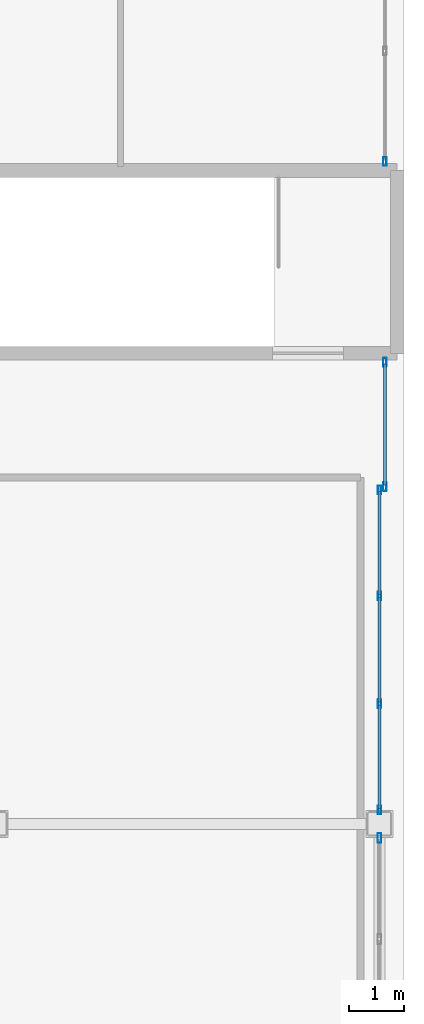
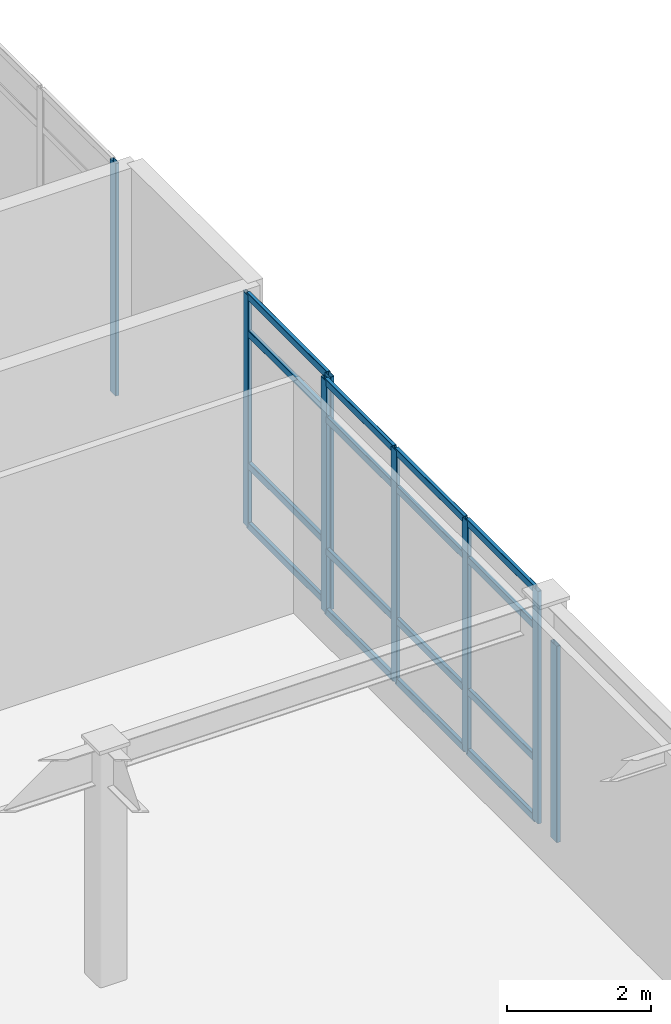
# One storey, part 23 of 34: 24 members, 4 elements without a shape of their own.
"""IFC4 building model written with IfcOpenShell, lengths in metres."""

import ifcopenshell
import ifcopenshell.guid

model = None  # the IFC model being written
_history = None  # IfcOwnerHistory: only IFC2X3 demands one
_inside = {}  # id of a spatial element -> (the spatial element, [elements in it])
_under = {}  # id of a project, library or spatial element -> (it, [spatial elements below it])
_declared = {}  # id of a project -> (the project, [libraries it declares])
_typed = {}  # id of a type object -> (the type object, [elements of that type])
_made_of = {}  # id of a material, layer set ... -> (it, [elements and type objects made of it])


def new_model(schema):
    """Start an empty IFC model of exactly this schema.

    Asked for "IFC4X3", IfcOpenShell would pick the latest addendum, in which some entities
    have other attributes; the version numbers below select the first issue.
    IFC2X3 requires an IfcOwnerHistory on every rooted entity: one is made here for all.
    """
    global model, _history
    if schema == "IFC4X3":
        model = ifcopenshell.file(schema_version=(4, 3, 0, 0))
    else:
        model = ifcopenshell.file(schema=schema)
    _inside.clear()
    _under.clear()
    _declared.clear()
    _typed.clear()
    _made_of.clear()
    _history = None
    if model.schema == "IFC2X3":
        org = make("IfcOrganization", Name="unknown")
        user = make(
            "IfcPersonAndOrganization",
            ThePerson=make("IfcPerson", FamilyName="unknown"),
            TheOrganization=org,
        )
        app = make(
            "IfcApplication",
            ApplicationDeveloper=org,
            Version="unknown",
            ApplicationFullName="unknown",
            ApplicationIdentifier="unknown",
        )
        _history = make(
            "IfcOwnerHistory",
            OwningUser=user,
            OwningApplication=app,
            ChangeAction="ADDED",
            CreationDate=0,
        )
    return model


def make(cls, **values):
    """One entity of the class cls with the attributes given. An attribute that is None is left unset."""
    return model.create_entity(
        cls, **{name: value for name, value in values.items() if value is not None}
    )


def rooted(cls, **values):
    """An entity with a GlobalId (a new one), such as an element, a storey or a relation."""
    return make(cls, GlobalId=ifcopenshell.guid.new(), OwnerHistory=_history, **values)


def si_unit(unit_type, name, prefix=None):
    """IfcSIUnit, for example si_unit("LENGTHUNIT", "METRE", prefix="MILLI")."""
    return make("IfcSIUnit", UnitType=unit_type, Prefix=prefix, Name=name)


def assignment(units):
    """IfcUnitAssignment: the units of a project."""
    return None if units is None else make("IfcUnitAssignment", Units=units)


def point(xyz):
    """IfcCartesianPoint."""
    return None if xyz is None else make("IfcCartesianPoint", Coordinates=xyz)


def direction(xyz):
    """IfcDirection."""
    return None if xyz is None else make("IfcDirection", DirectionRatios=xyz)


def frame(location, z_axis=None, x_axis=None):
    """IfcAxis2Placement3D, a coordinate frame: its origin and axes. An axis left out is left unset."""
    return make(
        "IfcAxis2Placement3D",
        Location=point(location),
        Axis=direction(z_axis),
        RefDirection=direction(x_axis),
    )


def frame_2d(location, x_axis=None):
    """IfcAxis2Placement2D, a coordinate frame in the plane: its origin and x axis."""
    return make(
        "IfcAxis2Placement2D", Location=point(location), RefDirection=direction(x_axis)
    )


def origin():
    """The frame at (0, 0, 0) with its axes left unset."""
    return frame((0.0, 0.0, 0.0))


def origin_2d():
    """The frame at (0, 0) in the plane with its x axis left unset."""
    return frame_2d((0.0, 0.0))


def place(relative_to, where):
    """IfcLocalPlacement: puts the frame where relative to a parent placement (None: the world)."""
    return make(
        "IfcLocalPlacement", PlacementRelTo=relative_to, RelativePlacement=where
    )


def context(
    kind, dimensions, precision=None, world=None, true_north=None, identifier=None
):
    """IfcGeometricRepresentationContext, for example the 3D "Model" context."""
    return make(
        "IfcGeometricRepresentationContext",
        ContextIdentifier=identifier,
        ContextType=kind,
        CoordinateSpaceDimension=dimensions,
        Precision=precision,
        WorldCoordinateSystem=world,
        TrueNorth=true_north,
    )


def subcontext(parent, identifier, kind, view, scale=None):
    """IfcGeometricRepresentationSubContext, for example "Body" below "Model"."""
    return make(
        "IfcGeometricRepresentationSubContext",
        ContextIdentifier=identifier,
        ContextType=kind,
        ParentContext=parent,
        TargetScale=scale,
        TargetView=view,
    )


def project(units=None, contexts=None):
    """IfcProject with its units and contexts."""
    return rooted(
        "IfcProject",
        Name="project",
        RepresentationContexts=contexts,
        UnitsInContext=assignment(units),
    )


def spatial(cls, under=None, at=None, **own):
    """A site, building, storey or space (cls), placed at a placement, below another one or the project."""
    s = rooted(cls, ObjectPlacement=at, **own)
    if under is not None:
        _under.setdefault(under.id(), (under, []))[1].append(s)
    return s


def profile(cls, at=None, kind="AREA", **sizes):
    """A parametric profile (cls). Its sizes go by their IFC names, for example OverallWidth=200.0."""
    return make(cls, ProfileType=kind, Position=at, **sizes)


def hollow_rectangle(**sizes):
    """IfcRectangleHollowProfileDef."""
    return profile("IfcRectangleHollowProfileDef", **sizes)


def extrude(swept, where, along, depth):
    """IfcExtrudedAreaSolid: the profile swept, set in the frame where, extruded along a direction by depth."""
    return make(
        "IfcExtrudedAreaSolid",
        SweptArea=swept,
        Position=where,
        ExtrudedDirection=direction(along),
        Depth=depth,
    )


def shape(context_of_items, identifier, shape_type, items):
    """IfcShapeRepresentation: the items that make up one representation, for example the "Body"."""
    return make(
        "IfcShapeRepresentation",
        ContextOfItems=context_of_items,
        RepresentationIdentifier=identifier,
        RepresentationType=shape_type,
        Items=items,
    )


def material(Name=None, Category=None):
    """IfcMaterial."""
    return make("IfcMaterial", Name=Name, Category=Category)


def layer(
    of_material, thickness, ventilated=None, Name=None, Category=None, Priority=None
):
    """IfcMaterialLayer: one layer of a wall or slab, of a material (None: an air gap)."""
    return make(
        "IfcMaterialLayer",
        Material=of_material,
        LayerThickness=thickness,
        IsVentilated=ventilated,
        Name=Name,
        Category=Category,
        Priority=Priority,
    )


def layer_set(layers, Name=None):
    """IfcMaterialLayerSet."""
    return make("IfcMaterialLayerSet", MaterialLayers=layers, LayerSetName=Name)


def material_profile(
    of_material, cross_section, Name=None, Category=None, Priority=None
):
    """IfcMaterialProfile: a cross section and its material."""
    return make(
        "IfcMaterialProfile",
        Name=Name,
        Material=of_material,
        Profile=cross_section,
        Priority=Priority,
        Category=Category,
    )


def profile_set(profiles, Name=None, composite=None):
    """IfcMaterialProfileSet."""
    return make(
        "IfcMaterialProfileSet",
        Name=Name,
        MaterialProfiles=profiles,
        CompositeProfile=composite,
    )


def made_of(thing, what):
    """Note that an element or type object is made of a material, layer set ...; save() writes the relation."""
    if what is not None:
        _made_of.setdefault(what.id(), (what, []))[1].append(thing)
    return thing


def type_object(cls, material=None, **own):
    """A type object (cls), such as IfcWallType, which elements share."""
    return made_of(rooted(cls, **own), material)


def element(
    cls,
    number,
    at=None,
    inside=None,
    cuts=None,
    type_object=None,
    material=None,
    context=None,
    identifier="Body",
    shape_type=None,
    held_by="IfcProductDefinitionShape",
    body=None,
    shapes=None,
    **own,
):
    """One element of the class cls, such as IfcWall. Its Tag is "e" and its number.

    at: its placement. inside: the storey or other place that contains it. cuts: it is an
    opening in that element (IfcRelVoidsElement). A single representation is given by context,
    identifier, shape_type and body (its items); several are given by shapes. held_by: the class
    of the entity that holds the representations. save() writes the other relations.
    """
    e = rooted(cls, Tag="e%d" % number, ObjectPlacement=at, **own)
    if body is not None:
        shapes = [shape(context, identifier, shape_type, body)]
    if shapes is not None:
        e.Representation = make(held_by, Representations=shapes)
    if inside is not None:
        _inside.setdefault(inside.id(), (inside, []))[1].append(e)
    if cuts is not None:
        rooted(
            "IfcRelVoidsElement", RelatingBuildingElement=cuts, RelatedOpeningElement=e
        )
    if type_object is not None:
        _typed.setdefault(type_object.id(), (type_object, []))[1].append(e)
    return made_of(e, material)


def aggregate(whole, parts):
    """IfcRelAggregates: a whole, such as a stair, and the parts it consists of."""
    return rooted("IfcRelAggregates", RelatingObject=whole, RelatedObjects=parts)


def save(model, path):
    """Write the relations noted so far, then the file.

    IfcRelAggregates (storeys below a building ...), IfcRelContainedInSpatialStructure (elements
    in a storey), IfcRelDefinesByType, IfcRelAssociatesMaterial and IfcRelDeclares: one each for
    every whole, place, type object, material and project.
    """
    for whole, parts in _under.values():
        aggregate(whole, parts)
    for where, things in _inside.values():
        rooted(
            "IfcRelContainedInSpatialStructure",
            RelatedElements=things,
            RelatingStructure=where,
        )
    for kind, things in _typed.values():
        rooted("IfcRelDefinesByType", RelatedObjects=things, RelatingType=kind)
    for what, things in _made_of.values():
        rooted("IfcRelAssociatesMaterial", RelatedObjects=things, RelatingMaterial=what)
    for by, libraries in _declared.values():
        rooted("IfcRelDeclares", RelatingContext=by, RelatedDefinitions=libraries)
    model.write(path)


model = new_model("IFC4")

# Units and contexts
model_context = context("Model", 3, precision=1e-05, world=origin(), true_north=direction((0.0, 1.0)))
body_context = subcontext(model_context, "Body", "Model", "MODEL_VIEW")
ifc_project = project(units=[si_unit("LENGTHUNIT", "METRE"), si_unit("AREAUNIT", "SQUARE_METRE"), si_unit("VOLUMEUNIT", "CUBIC_METRE"), si_unit("PLANEANGLEUNIT", "RADIAN"), si_unit("MASSUNIT", "GRAM", prefix="KILO")], contexts=[model_context])

# Site, building, storey
site_placement = place(None, origin())
site = spatial("IfcSite", under=ifc_project, at=site_placement, CompositionType="ELEMENT")
building_placement = place(site_placement, origin())
building = spatial("IfcBuilding", under=site, at=building_placement, Name="Kazehara Bluff Congress Hotel", CompositionType="ELEMENT")
storey_placement = place(building_placement, frame((0.0, 0.0, 46.199951171875)))
storey = spatial("IfcBuildingStorey", under=building, at=storey_placement, Name="L11", CompositionType="ELEMENT", Elevation=46.199951171875)

# Curtain wall, members
ifc_material_1 = material(Name="Anodised aluminium", Category="aluminium")
ifc_layer_1 = layer(ifc_material_1, 0.159912109375)
ifc_layer_set_1 = layer_set([ifc_layer_1], Name="Anodised aluminium")
curtain_wall_type_1 = type_object("IfcCurtainWallType", Name="TP-CW-87", PredefinedType="NOTDEFINED", material=ifc_layer_set_1)
curtain_wall_1_placement = place(storey_placement, origin())
curtain_wall_1 = element("IfcCurtainWall", 1, at=curtain_wall_1_placement, inside=storey, type_object=curtain_wall_type_1, Name="L11 curtain wall CW-87 CW-V5-L11-X16755-6468", PredefinedType="NOTDEFINED")
ifc_material_2 = material(Name="Anodised aluminium", Category="aluminium")
ifc_material_profile_1 = material_profile(ifc_material_2, hollow_rectangle(XDim=0.06005859375, YDim=0.159912109375, WallThickness=0.00390625, InnerFilletRadius=0.00390625, OuterFilletRadius=0.008056640625, at=origin_2d()))
ifc_profile_set_1 = profile_set([ifc_material_profile_1], Name="Anodised aluminium")
member_type_1 = type_object("IfcMemberType", Name="TP-CWM-01", PredefinedType="MULLION", material=ifc_profile_set_1)
member_1_placement = place(storey_placement, frame((167.550048828125, 64.705078125, 0.0), z_axis=(0.0, 0.0, 1.0), x_axis=(-1.0, 0.0, 0.0)))
member_1 = element("IfcMember", 2, at=member_1_placement, type_object=member_type_1, Name="CW-87 mullion 1", PredefinedType="MULLION", context=body_context, shape_type="SweptSolid", body=[
    extrude(hollow_rectangle(XDim=0.06005859375, YDim=0.159912109375, WallThickness=0.00390625, InnerFilletRadius=0.00390625, OuterFilletRadius=0.008056640625, at=origin_2d()), origin(), (0.0, 0.0, 1.0), 3.93505859375),
])
member_2_placement = place(storey_placement, frame((167.550048828125, 66.64990234375, 0.0), z_axis=(0.0, 0.0, 1.0), x_axis=(-1.0, 0.0, 0.0)))
member_2 = element("IfcMember", 3, at=member_2_placement, type_object=member_type_1, Name="CW-87 mullion 2", PredefinedType="MULLION", context=body_context, shape_type="SweptSolid", body=[
    extrude(hollow_rectangle(XDim=0.06005859375, YDim=0.159912109375, WallThickness=0.00390625, InnerFilletRadius=0.00390625, OuterFilletRadius=0.008056640625, at=origin_2d()), origin(), (0.0, 0.0, 1.0), 3.93505859375),
])
member_3_placement = place(storey_placement, frame((167.550048828125, 68.625, 0.0), z_axis=(0.0, 0.0, 1.0), x_axis=(-1.0, 0.0, 0.0)))
member_3 = element("IfcMember", 4, at=member_3_placement, type_object=member_type_1, Name="CW-87 mullion 3", PredefinedType="MULLION", context=body_context, shape_type="SweptSolid", body=[
    extrude(hollow_rectangle(XDim=0.06005859375, YDim=0.159912109375, WallThickness=0.00390625, InnerFilletRadius=0.00390625, OuterFilletRadius=0.008056640625, at=origin_2d()), origin(), (0.0, 0.0, 1.0), 3.93505859375),
])
member_4_placement = place(storey_placement, frame((167.550048828125, 70.570068359375, 0.0), z_axis=(0.0, 0.0, 1.0), x_axis=(-1.0, 0.0, 0.0)))
member_4 = element("IfcMember", 5, at=member_4_placement, type_object=member_type_1, Name="CW-87 mullion 4", PredefinedType="MULLION", context=body_context, shape_type="SweptSolid", body=[
    extrude(hollow_rectangle(XDim=0.06005859375, YDim=0.159912109375, WallThickness=0.00390625, InnerFilletRadius=0.00390625, OuterFilletRadius=0.008056640625, at=origin_2d()), origin(), (0.0, 0.0, 1.0), 3.93505859375),
])

ifc_material_3 = material(Name="Anodised aluminium", Category="aluminium")
ifc_layer_2 = layer(ifc_material_3, 0.159912109375)
ifc_layer_set_2 = layer_set([ifc_layer_2], Name="Anodised aluminium")
curtain_wall_type_2 = type_object("IfcCurtainWallType", Name="TP-CW-209", PredefinedType="NOTDEFINED", material=ifc_layer_set_2)
curtain_wall_2_placement = place(storey_placement, origin())
curtain_wall_2 = element("IfcCurtainWall", 6, at=curtain_wall_2_placement, inside=storey, type_object=curtain_wall_type_2, Name="L11 curtain wall CW-209 CW-ENC-V5-L11-16765-7177", PredefinedType="NOTDEFINED")
member_5_placement = place(storey_placement, frame((167.64990234375, 72.909912109375, 0.0), z_axis=(0.0, 0.0, 1.0), x_axis=(1.0, 0.0, 0.0)))
member_5 = element("IfcMember", 7, at=member_5_placement, type_object=member_type_1, Name="CW-209 mullion 1", PredefinedType="MULLION", context=body_context, shape_type="SweptSolid", body=[
    extrude(hollow_rectangle(XDim=0.06005859375, YDim=0.159912109375, WallThickness=0.00390625, InnerFilletRadius=0.00390625, OuterFilletRadius=0.008056640625, at=origin_2d()), origin(), (0.0, 0.0, 1.0), 3.93505859375),
])
member_6_placement = place(storey_placement, frame((167.64990234375, 70.6298828125, 0.0), z_axis=(0.0, 0.0, 1.0), x_axis=(1.0, 0.0, 0.0)))
member_6 = element("IfcMember", 8, at=member_6_placement, type_object=member_type_1, Name="CW-209 mullion 2", PredefinedType="MULLION", context=body_context, shape_type="SweptSolid", body=[
    extrude(hollow_rectangle(XDim=0.06005859375, YDim=0.159912109375, WallThickness=0.00390625, InnerFilletRadius=0.00390625, OuterFilletRadius=0.008056640625, at=origin_2d()), origin(), (0.0, 0.0, 1.0), 3.93505859375),
])

# Curtain wall, member
ifc_material_4 = material(Name="Anodised aluminium", Category="aluminium")
ifc_layer_3 = layer(ifc_material_4, 0.159912109375)
ifc_layer_set_3 = layer_set([ifc_layer_3], Name="Anodised aluminium")
curtain_wall_type_3 = type_object("IfcCurtainWallType", Name="TP-CW-210", PredefinedType="NOTDEFINED", material=ifc_layer_set_3)
curtain_wall_3_placement = place(storey_placement, origin())
curtain_wall_3 = element("IfcCurtainWall", 9, at=curtain_wall_3_placement, inside=storey, type_object=curtain_wall_type_3, Name="L11 curtain wall CW-210 CW-ENC-V5-L11-16765-7862", PredefinedType="NOTDEFINED")
member_7_placement = place(storey_placement, frame((167.64990234375, 76.590087890625, 0.0), z_axis=(0.0, 0.0, 1.0), x_axis=(1.0, 0.0, 0.0)))
member_7 = element("IfcMember", 10, at=member_7_placement, type_object=member_type_1, Name="CW-210 mullion 3", PredefinedType="MULLION", context=body_context, shape_type="SweptSolid", body=[
    extrude(hollow_rectangle(XDim=0.06005859375, YDim=0.159912109375, WallThickness=0.00390625, InnerFilletRadius=0.00390625, OuterFilletRadius=0.008056640625, at=origin_2d()), origin(), (0.0, 0.0, 1.0), 3.93505859375),
])
aggregate(curtain_wall_3, [member_7])

ifc_material_5 = material(Name="Anodised aluminium", Category="aluminium")
ifc_layer_4 = layer(ifc_material_5, 0.159912109375)
ifc_layer_set_4 = layer_set([ifc_layer_4], Name="Anodised aluminium")
curtain_wall_type_4 = type_object("IfcCurtainWallType", Name="TP-CW-84", PredefinedType="NOTDEFINED", material=ifc_layer_set_4)
curtain_wall_4_placement = place(storey_placement, origin())
curtain_wall_4 = element("IfcCurtainWall", 11, at=curtain_wall_4_placement, inside=storey, type_object=curtain_wall_type_4, Name="L11 curtain wall CW-84 CW-V5-L11-X16755-5668", PredefinedType="NOTDEFINED")
ifc_material_6 = material(Name="Anodised aluminium", Category="aluminium")
ifc_material_profile_2 = material_profile(ifc_material_6, hollow_rectangle(XDim=0.06494140625, YDim=0.179931640625, WallThickness=0.00390625, InnerFilletRadius=0.00390625, OuterFilletRadius=0.008056640625, at=origin_2d()))
ifc_profile_set_2 = profile_set([ifc_material_profile_2], Name="Anodised aluminium")
member_type_2 = type_object("IfcMemberType", Name="TP-CWM-02", PredefinedType="MULLION", material=ifc_profile_set_2)
member_8_placement = place(storey_placement, frame((167.550048828125, 64.1923828125, 0.0), z_axis=(0.0, 0.0, 1.0), x_axis=(-1.0, 0.0, 0.0)))
member_8 = element("IfcMember", 12, at=member_8_placement, type_object=member_type_2, Name="CW-84 mullion 5", PredefinedType="MULLION", context=body_context, shape_type="SweptSolid", body=[
    extrude(hollow_rectangle(XDim=0.06494140625, YDim=0.179931640625, WallThickness=0.00390625, InnerFilletRadius=0.00390625, OuterFilletRadius=0.008056640625, at=origin_2d()), origin(), (0.0, 0.0, 1.0), 3.324951171875),
])
aggregate(curtain_wall_4, [member_8])

# Member
ifc_material_7 = material(Name="Anodised aluminium", Category="aluminium")
ifc_material_profile_3 = material_profile(ifc_material_7, hollow_rectangle(XDim=0.06005859375, YDim=0.1201171875, WallThickness=0.00390625, InnerFilletRadius=0.00390625, OuterFilletRadius=0.008056640625, at=origin_2d()))
ifc_profile_set_3 = profile_set([ifc_material_profile_3], Name="Anodised aluminium")
member_type_3 = type_object("IfcMemberType", Name="TP-CWT-01", PredefinedType="USERDEFINED", material=ifc_profile_set_3)
member_9_placement = place(storey_placement, frame((167.550048828125, 64.735107421875, 0.030029296875), z_axis=(0.0, 1.0, 0.0), x_axis=(-1.0, 0.0, 0.0)))
member_9 = element("IfcMember", 13, at=member_9_placement, type_object=member_type_3, Name="CW-87 transom 1.1", ObjectType="TRANSOM", PredefinedType="USERDEFINED", context=body_context, shape_type="SweptSolid", body=[
    extrude(hollow_rectangle(XDim=0.06005859375, YDim=0.1201171875, WallThickness=0.00390625, InnerFilletRadius=0.00390625, OuterFilletRadius=0.008056640625, at=origin_2d()), origin(), (0.0, 0.0, 1.0), 1.885009765625),
])

member_10_placement = place(storey_placement, frame((167.550048828125, 64.735107421875, 1.050048828125), z_axis=(0.0, 1.0, 0.0), x_axis=(-1.0, 0.0, 0.0)))
member_10 = element("IfcMember", 14, at=member_10_placement, type_object=member_type_3, Name="CW-87 transom 1.2", ObjectType="TRANSOM", PredefinedType="USERDEFINED", context=body_context, shape_type="SweptSolid", body=[
    extrude(hollow_rectangle(XDim=0.06005859375, YDim=0.1201171875, WallThickness=0.00390625, InnerFilletRadius=0.00390625, OuterFilletRadius=0.008056640625, at=origin_2d()), origin(), (0.0, 0.0, 1.0), 1.885009765625),
])

member_11_placement = place(storey_placement, frame((167.550048828125, 64.735107421875, 3.28515625), z_axis=(0.0, 1.0, 0.0), x_axis=(-1.0, 0.0, 0.0)))
member_11 = element("IfcMember", 15, at=member_11_placement, type_object=member_type_3, Name="CW-87 transom 1.3", ObjectType="TRANSOM", PredefinedType="USERDEFINED", context=body_context, shape_type="SweptSolid", body=[
    extrude(hollow_rectangle(XDim=0.06005859375, YDim=0.1201171875, WallThickness=0.00390625, InnerFilletRadius=0.00390625, OuterFilletRadius=0.008056640625, at=origin_2d()), origin(), (0.0, 0.0, 1.0), 1.885009765625),
])

member_12_placement = place(storey_placement, frame((167.550048828125, 64.735107421875, 3.905029296875), z_axis=(0.0, 1.0, 0.0), x_axis=(-1.0, 0.0, 0.0)))
member_12 = element("IfcMember", 16, at=member_12_placement, type_object=member_type_3, Name="CW-87 transom 1.4", ObjectType="TRANSOM", PredefinedType="USERDEFINED", context=body_context, shape_type="SweptSolid", body=[
    extrude(hollow_rectangle(XDim=0.06005859375, YDim=0.1201171875, WallThickness=0.00390625, InnerFilletRadius=0.00390625, OuterFilletRadius=0.008056640625, at=origin_2d()), origin(), (0.0, 0.0, 1.0), 1.885009765625),
])

member_13_placement = place(storey_placement, frame((167.550048828125, 66.679931640625, 0.030029296875), z_axis=(0.0, 1.0, 0.0), x_axis=(-1.0, 0.0, 0.0)))
member_13 = element("IfcMember", 17, at=member_13_placement, type_object=member_type_3, Name="CW-87 transom 2.1", ObjectType="TRANSOM", PredefinedType="USERDEFINED", context=body_context, shape_type="SweptSolid", body=[
    extrude(hollow_rectangle(XDim=0.06005859375, YDim=0.1201171875, WallThickness=0.00390625, InnerFilletRadius=0.00390625, OuterFilletRadius=0.008056640625, at=origin_2d()), origin(), (0.0, 0.0, 1.0), 1.9150390625),
])

member_14_placement = place(storey_placement, frame((167.550048828125, 66.679931640625, 1.050048828125), z_axis=(0.0, 1.0, 0.0), x_axis=(-1.0, 0.0, 0.0)))
member_14 = element("IfcMember", 18, at=member_14_placement, type_object=member_type_3, Name="CW-87 transom 2.2", ObjectType="TRANSOM", PredefinedType="USERDEFINED", context=body_context, shape_type="SweptSolid", body=[
    extrude(hollow_rectangle(XDim=0.06005859375, YDim=0.1201171875, WallThickness=0.00390625, InnerFilletRadius=0.00390625, OuterFilletRadius=0.008056640625, at=origin_2d()), origin(), (0.0, 0.0, 1.0), 1.9150390625),
])

member_15_placement = place(storey_placement, frame((167.550048828125, 66.679931640625, 3.28515625), z_axis=(0.0, 1.0, 0.0), x_axis=(-1.0, 0.0, 0.0)))
member_15 = element("IfcMember", 19, at=member_15_placement, type_object=member_type_3, Name="CW-87 transom 2.3", ObjectType="TRANSOM", PredefinedType="USERDEFINED", context=body_context, shape_type="SweptSolid", body=[
    extrude(hollow_rectangle(XDim=0.06005859375, YDim=0.1201171875, WallThickness=0.00390625, InnerFilletRadius=0.00390625, OuterFilletRadius=0.008056640625, at=origin_2d()), origin(), (0.0, 0.0, 1.0), 1.9150390625),
])

member_16_placement = place(storey_placement, frame((167.550048828125, 66.679931640625, 3.905029296875), z_axis=(0.0, 1.0, 0.0), x_axis=(-1.0, 0.0, 0.0)))
member_16 = element("IfcMember", 20, at=member_16_placement, type_object=member_type_3, Name="CW-87 transom 2.4", ObjectType="TRANSOM", PredefinedType="USERDEFINED", context=body_context, shape_type="SweptSolid", body=[
    extrude(hollow_rectangle(XDim=0.06005859375, YDim=0.1201171875, WallThickness=0.00390625, InnerFilletRadius=0.00390625, OuterFilletRadius=0.008056640625, at=origin_2d()), origin(), (0.0, 0.0, 1.0), 1.9150390625),
])

member_17_placement = place(storey_placement, frame((167.550048828125, 68.655029296875, 0.030029296875), z_axis=(0.0, 1.0, 0.0), x_axis=(-1.0, 0.0, 0.0)))
member_17 = element("IfcMember", 21, at=member_17_placement, type_object=member_type_3, Name="CW-87 transom 3.1", ObjectType="TRANSOM", PredefinedType="USERDEFINED", context=body_context, shape_type="SweptSolid", body=[
    extrude(hollow_rectangle(XDim=0.06005859375, YDim=0.1201171875, WallThickness=0.00390625, InnerFilletRadius=0.00390625, OuterFilletRadius=0.008056640625, at=origin_2d()), origin(), (0.0, 0.0, 1.0), 1.885009765625),
])

member_18_placement = place(storey_placement, frame((167.550048828125, 68.655029296875, 1.050048828125), z_axis=(0.0, 1.0, 0.0), x_axis=(-1.0, 0.0, 0.0)))
member_18 = element("IfcMember", 22, at=member_18_placement, type_object=member_type_3, Name="CW-87 transom 3.2", ObjectType="TRANSOM", PredefinedType="USERDEFINED", context=body_context, shape_type="SweptSolid", body=[
    extrude(hollow_rectangle(XDim=0.06005859375, YDim=0.1201171875, WallThickness=0.00390625, InnerFilletRadius=0.00390625, OuterFilletRadius=0.008056640625, at=origin_2d()), origin(), (0.0, 0.0, 1.0), 1.885009765625),
])

member_19_placement = place(storey_placement, frame((167.550048828125, 68.655029296875, 3.28515625), z_axis=(0.0, 1.0, 0.0), x_axis=(-1.0, 0.0, 0.0)))
member_19 = element("IfcMember", 23, at=member_19_placement, type_object=member_type_3, Name="CW-87 transom 3.3", ObjectType="TRANSOM", PredefinedType="USERDEFINED", context=body_context, shape_type="SweptSolid", body=[
    extrude(hollow_rectangle(XDim=0.06005859375, YDim=0.1201171875, WallThickness=0.00390625, InnerFilletRadius=0.00390625, OuterFilletRadius=0.008056640625, at=origin_2d()), origin(), (0.0, 0.0, 1.0), 1.885009765625),
])

member_20_placement = place(storey_placement, frame((167.550048828125, 68.655029296875, 3.905029296875), z_axis=(0.0, 1.0, 0.0), x_axis=(-1.0, 0.0, 0.0)))
member_20 = element("IfcMember", 24, at=member_20_placement, type_object=member_type_3, Name="CW-87 transom 3.4", ObjectType="TRANSOM", PredefinedType="USERDEFINED", context=body_context, shape_type="SweptSolid", body=[
    extrude(hollow_rectangle(XDim=0.06005859375, YDim=0.1201171875, WallThickness=0.00390625, InnerFilletRadius=0.00390625, OuterFilletRadius=0.008056640625, at=origin_2d()), origin(), (0.0, 0.0, 1.0), 1.885009765625),
])

aggregate(curtain_wall_1, [member_1, member_2, member_3, member_4, member_9, member_10, member_11, member_12, member_13, member_14, member_15, member_16, member_17, member_18, member_19, member_20])

member_21_placement = place(storey_placement, frame((167.64990234375, 72.8798828125, 0.030029296875), z_axis=(0.0, -1.0, 0.0), x_axis=(1.0, 0.0, 0.0)))
member_21 = element("IfcMember", 25, at=member_21_placement, type_object=member_type_3, Name="CW-209 transom 1.1", ObjectType="TRANSOM", PredefinedType="USERDEFINED", context=body_context, shape_type="SweptSolid", body=[
    extrude(hollow_rectangle(XDim=0.06005859375, YDim=0.1201171875, WallThickness=0.00390625, InnerFilletRadius=0.00390625, OuterFilletRadius=0.008056640625, at=origin_2d()), origin(), (0.0, 0.0, 1.0), 2.219970703125),
])

member_22_placement = place(storey_placement, frame((167.64990234375, 72.8798828125, 1.050048828125), z_axis=(0.0, -1.0, 0.0), x_axis=(1.0, 0.0, 0.0)))
member_22 = element("IfcMember", 26, at=member_22_placement, type_object=member_type_3, Name="CW-209 transom 1.2", ObjectType="TRANSOM", PredefinedType="USERDEFINED", context=body_context, shape_type="SweptSolid", body=[
    extrude(hollow_rectangle(XDim=0.06005859375, YDim=0.1201171875, WallThickness=0.00390625, InnerFilletRadius=0.00390625, OuterFilletRadius=0.008056640625, at=origin_2d()), origin(), (0.0, 0.0, 1.0), 2.219970703125),
])

member_23_placement = place(storey_placement, frame((167.64990234375, 72.8798828125, 3.28515625), z_axis=(0.0, -1.0, 0.0), x_axis=(1.0, 0.0, 0.0)))
member_23 = element("IfcMember", 27, at=member_23_placement, type_object=member_type_3, Name="CW-209 transom 1.3", ObjectType="TRANSOM", PredefinedType="USERDEFINED", context=body_context, shape_type="SweptSolid", body=[
    extrude(hollow_rectangle(XDim=0.06005859375, YDim=0.1201171875, WallThickness=0.00390625, InnerFilletRadius=0.00390625, OuterFilletRadius=0.008056640625, at=origin_2d()), origin(), (0.0, 0.0, 1.0), 2.219970703125),
])

member_24_placement = place(storey_placement, frame((167.64990234375, 72.8798828125, 3.905029296875), z_axis=(0.0, -1.0, 0.0), x_axis=(1.0, 0.0, 0.0)))
member_24 = element("IfcMember", 28, at=member_24_placement, type_object=member_type_3, Name="CW-209 transom 1.4", ObjectType="TRANSOM", PredefinedType="USERDEFINED", context=body_context, shape_type="SweptSolid", body=[
    extrude(hollow_rectangle(XDim=0.06005859375, YDim=0.1201171875, WallThickness=0.00390625, InnerFilletRadius=0.00390625, OuterFilletRadius=0.008056640625, at=origin_2d()), origin(), (0.0, 0.0, 1.0), 2.219970703125),
])

aggregate(curtain_wall_2, [member_5, member_6, member_21, member_22, member_23, member_24])

save(model, "model.ifc")
